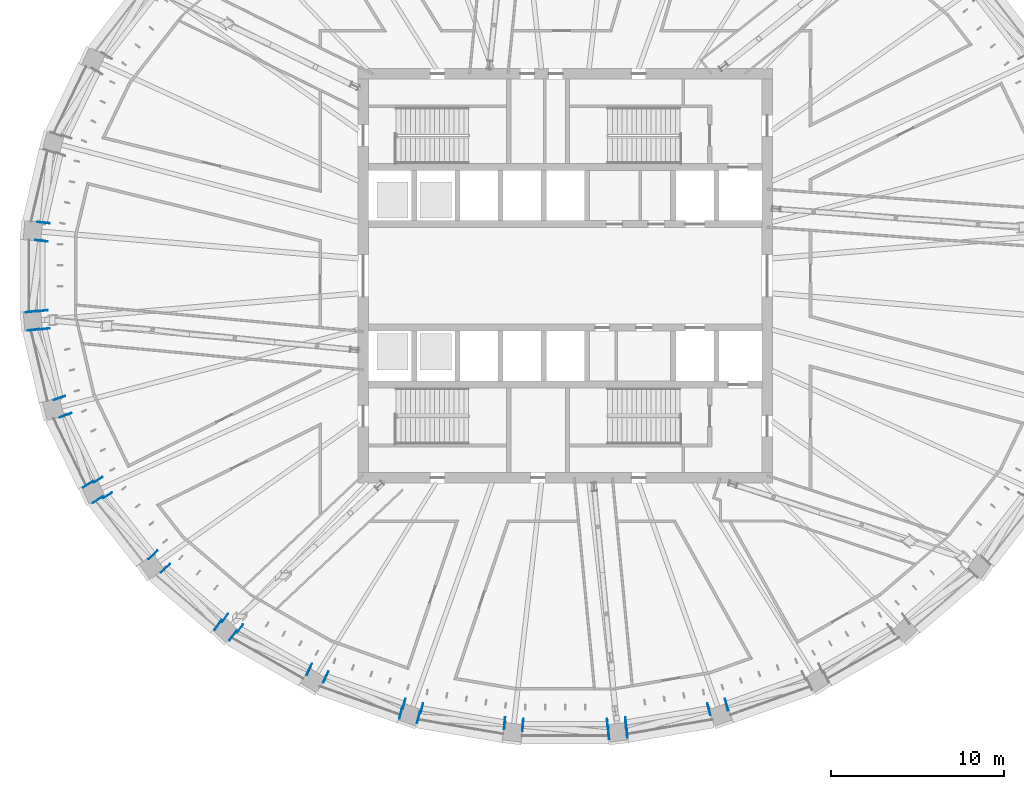
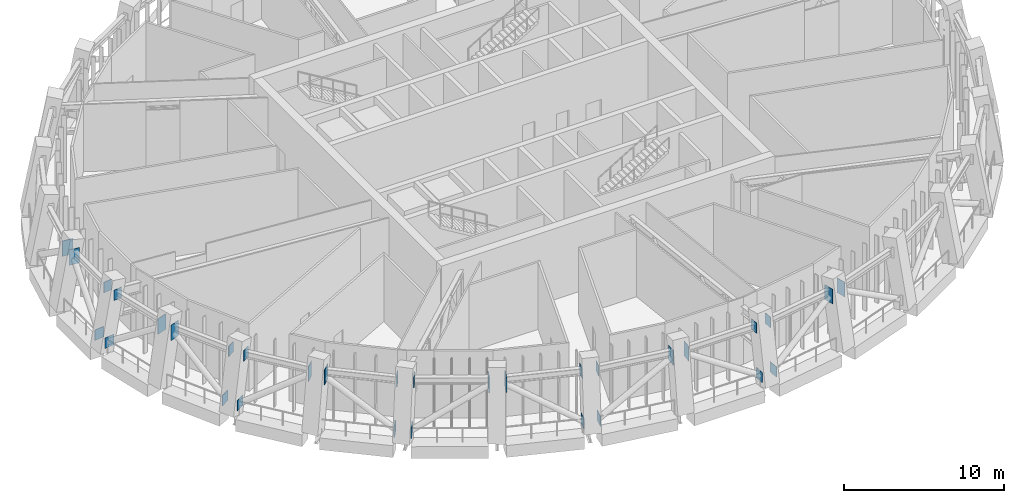
# One storey, part 12 of 20: 32 discrete accessories.
"""IFC4 building model written with IfcOpenShell, lengths in metres."""

from ifc_helpers import new_model, si_unit, direction, frame, origin, origin_2d, place, context, subcontext, project, spatial, rectangle, extrude, material, layer, layer_set, type_object, element, save


model = new_model("IFC4")

# Units and contexts
model_context = context("Model", 3, precision=1e-05, world=origin(), true_north=direction((0.0, 1.0)))
body_context = subcontext(model_context, "Body", "Model", "MODEL_VIEW")
ifc_project = project(units=[si_unit("LENGTHUNIT", "METRE"), si_unit("AREAUNIT", "SQUARE_METRE"), si_unit("VOLUMEUNIT", "CUBIC_METRE"), si_unit("PLANEANGLEUNIT", "RADIAN"), si_unit("MASSUNIT", "GRAM", prefix="KILO")], contexts=[model_context])

# Site, building, storey
site_placement = place(None, origin())
site = spatial("IfcSite", under=ifc_project, at=site_placement, CompositionType="ELEMENT")
building_placement = place(site_placement, origin())
building = spatial("IfcBuilding", under=site, at=building_placement, Name="Halqa Exchange Tower", CompositionType="ELEMENT")
storey_placement = place(building_placement, frame((0.0, 0.0, 250.89990234375)))
storey = spatial("IfcBuildingStorey", under=building, at=storey_placement, Name="L58", CompositionType="ELEMENT", Elevation=250.89990234375)

# Discrete accessories
ifc_material = material(Name="Steel S355", Category="steel")
ifc_layer = layer(ifc_material, 0.0400390625)
ifc_layer_set = layer_set([ifc_layer], Name="Steel S355")
discrete_accessory_type = type_object("IfcDiscreteAccessoryType", Name="Belt truss anchor plate 40", PredefinedType="ANCHORPLATE", material=ifc_layer_set)
discrete_accessory_1_placement = place(storey_placement, frame((-30.33642578125, 2.049560546875, 4.0625), z_axis=(-0.115780500934, -0.993274823804, 0.0), x_axis=(0.993274823804, -0.115780500934, 0.0)))
element("IfcDiscreteAccessory", 1, at=discrete_accessory_1_placement, inside=storey, type_object=discrete_accessory_type, Name="Belt truss anchor plate", PredefinedType="ANCHORPLATE", context=body_context, shape_type="SweptSolid", body=[
    extrude(rectangle(XDim=0.722900390625, YDim=1.175048828125, at=origin_2d()), origin(), (0.0, 0.0, 1.0), 0.0400390625),
])
discrete_accessory_2_placement = place(storey_placement, frame((-30.22021484375, 3.062744140625, 4.062255859375), z_axis=(0.109762219212, 0.993957873973, 0.0), x_axis=(-0.993957873973, 0.109762219212, 0.0)))
element("IfcDiscreteAccessory", 2, at=discrete_accessory_2_placement, inside=storey, type_object=discrete_accessory_type, Name="Belt truss anchor plate", PredefinedType="ANCHORPLATE", context=body_context, shape_type="SweptSolid", body=[
    extrude(rectangle(XDim=0.722900390625, YDim=1.176025390625, at=origin_2d()), origin(), (0.0, 0.0, 1.0), 0.0400390625),
])
for number, where, z_axis, x_axis, name in (
    (3, (-30.159423828125, -3.055908203125, 4.25), (0.115780500934, -0.993274823804, 0.0), (0.993274823804, 0.115780500934, 0.0), "Belt truss anchor plate"),
    (4, (-30.275390625, -2.04248046875, 4.25), (-0.115780500934, 0.993274823804, 0.0), (-0.993274823804, -0.115780500934, 0.0), "Belt truss anchor plate"),
):
    element("IfcDiscreteAccessory", number, at=place(storey_placement, frame(where, z_axis=z_axis, x_axis=x_axis)), inside=storey, type_object=discrete_accessory_type, Name=name, PredefinedType="ANCHORPLATE", context=body_context, shape_type="SweptSolid", body=[
        extrude(rectangle(XDim=0.60009765625, YDim=0.800048828125, at=origin_2d()), origin(), (0.0, 0.0, 1.0), 0.0400390625),
    ])
discrete_accessory_3_placement = place(storey_placement, frame((-30.79296875, -3.107666015625, 0.8818359375), z_axis=(0.116485527129, -0.993192389202, 0.0), x_axis=(0.993192389202, 0.116485527129, 0.0)))
element("IfcDiscreteAccessory", 5, at=discrete_accessory_3_placement, inside=storey, type_object=discrete_accessory_type, Name="Belt truss anchor plate", PredefinedType="ANCHORPLATE", context=body_context, shape_type="SweptSolid", body=[
    extrude(rectangle(XDim=0.681884765625, YDim=0.798095703125, at=origin_2d()), origin(), (0.0, 0.0, 1.0), 0.039794921875),
])
discrete_accessory_4_placement = place(storey_placement, frame((-30.90869140625, -2.093994140625, 0.88671875), z_axis=(-0.110431526075, 0.993883734674, 0.0), x_axis=(-0.993883734674, -0.110431526075, 0.0)))
element("IfcDiscreteAccessory", 6, at=discrete_accessory_4_placement, inside=storey, type_object=discrete_accessory_type, Name="Belt truss anchor plate", PredefinedType="ANCHORPLATE", context=body_context, shape_type="SweptSolid", body=[
    extrude(rectangle(XDim=0.679931640625, YDim=0.801025390625, at=origin_2d()), origin(), (0.0, 0.0, 1.0), 0.039794921875),
])
discrete_accessory_5_placement = place(storey_placement, frame((-28.945556640625, -8.051513671875, 4.06494140625), z_axis=(0.336336396998, -0.941741911595, 0.0), x_axis=(0.941741911595, 0.336336396998, 0.0)))
element("IfcDiscreteAccessory", 7, at=discrete_accessory_5_placement, inside=storey, type_object=discrete_accessory_type, Name="Belt truss anchor plate", PredefinedType="ANCHORPLATE", context=body_context, shape_type="SweptSolid", body=[
    extrude(rectangle(XDim=0.719970703125, YDim=1.169921875, at=origin_2d()), origin(), (0.0, 0.0, 1.0), 0.0400390625),
])
discrete_accessory_6_placement = place(storey_placement, frame((-29.285400390625, -7.089599609375, 4.06591796875), z_axis=(-0.330896267797, 0.943667134088, 0.0), x_axis=(-0.943667134088, -0.330896267797, 0.0)))
element("IfcDiscreteAccessory", 8, at=discrete_accessory_6_placement, inside=storey, type_object=discrete_accessory_type, Name="Belt truss anchor plate", PredefinedType="ANCHORPLATE", context=body_context, shape_type="SweptSolid", body=[
    extrude(rectangle(XDim=0.720947265625, YDim=1.1689453125, at=origin_2d()), origin(), (0.0, 0.0, 1.0), 0.039794921875),
])
discrete_accessory_7_placement = place(storey_placement, frame((-26.514892578125, -12.696533203125, 4.25), z_axis=(0.530546985787, -0.847655529016, 0.0), x_axis=(0.847655529016, 0.530546985787, 0.0)))
element("IfcDiscreteAccessory", 9, at=discrete_accessory_7_placement, inside=storey, type_object=discrete_accessory_type, Name="Belt truss anchor plate", PredefinedType="ANCHORPLATE", context=body_context, shape_type="SweptSolid", body=[
    extrude(rectangle(XDim=0.60009765625, YDim=0.800048828125, at=origin_2d()), origin(), (0.0, 0.0, 1.0), 0.0400390625),
])
discrete_accessory_8_placement = place(storey_placement, frame((-27.05322265625, -11.830078125, 4.25), z_axis=(-0.533300923376, 0.845925602596, 0.0), x_axis=(-0.845925602596, -0.533300923376, 0.0)))
element("IfcDiscreteAccessory", 10, at=discrete_accessory_8_placement, inside=storey, type_object=discrete_accessory_type, Name="Belt truss anchor plate", PredefinedType="ANCHORPLATE", context=body_context, shape_type="SweptSolid", body=[
    extrude(rectangle(XDim=0.60009765625, YDim=0.800048828125, at=origin_2d()), origin(), (0.0, 0.0, 1.0), 0.039794921875),
])
discrete_accessory_9_placement = place(storey_placement, frame((-27.0791015625, -12.947021484375, 0.859619140625), z_axis=(0.530546985787, -0.847655529016, 0.0), x_axis=(0.847655529016, 0.530546985787, 0.0)))
element("IfcDiscreteAccessory", 11, at=discrete_accessory_9_placement, inside=storey, type_object=discrete_accessory_type, Name="Belt truss anchor plate", PredefinedType="ANCHORPLATE", context=body_context, shape_type="SweptSolid", body=[
    extrude(rectangle(XDim=0.694091796875, YDim=0.7900390625, at=origin_2d()), origin(), (0.0, 0.0, 1.0), 0.0400390625),
])
discrete_accessory_10_placement = place(storey_placement, frame((-27.615478515625, -12.07958984375, 0.88232421875), z_axis=(-0.530546985787, 0.847655529016, 0.0), x_axis=(-0.847655529016, -0.530546985787, 0.0)))
element("IfcDiscreteAccessory", 12, at=discrete_accessory_10_placement, inside=storey, type_object=discrete_accessory_type, Name="Belt truss anchor plate", PredefinedType="ANCHORPLATE", context=body_context, shape_type="SweptSolid", body=[
    extrude(rectangle(XDim=0.68603515625, YDim=0.799072265625, at=origin_2d()), origin(), (0.0, 0.0, 1.0), 0.0400390625),
])
discrete_accessory_11_placement = place(storey_placement, frame((-23.16845703125, -16.9150390625, 4.07666015625), z_axis=(0.691639439628, -0.722242954656, 0.0), x_axis=(0.722242954656, 0.691639439628, 0.0)))
element("IfcDiscreteAccessory", 13, at=discrete_accessory_11_placement, inside=storey, type_object=discrete_accessory_type, Name="Belt truss anchor plate", PredefinedType="ANCHORPLATE", context=body_context, shape_type="SweptSolid", body=[
    extrude(rectangle(XDim=0.712890625, YDim=1.14697265625, at=origin_2d()), origin(), (0.0, 0.0, 1.0), 0.039794921875),
])
discrete_accessory_12_placement = place(storey_placement, frame((-23.873291015625, -16.177734375, 4.07763671875), z_axis=(-0.68858929503, 0.725151558483, 0.0), x_axis=(-0.725151558483, -0.68858929503, 0.0)))
element("IfcDiscreteAccessory", 14, at=discrete_accessory_12_placement, inside=storey, type_object=discrete_accessory_type, Name="Belt truss anchor plate", PredefinedType="ANCHORPLATE", context=body_context, shape_type="SweptSolid", body=[
    extrude(rectangle(XDim=0.715087890625, YDim=1.14501953125, at=origin_2d()), origin(), (0.0, 0.0, 1.0), 0.0400390625),
])
for number, where, z_axis, x_axis, name in (
    (15, (-18.855224609375, -20.41162109375, 4.25), (0.815785116082, -0.57835511961, 0.0), (0.57835511961, 0.815785116082, 0.0), "Belt truss anchor plate"),
    (16, (-19.688720703125, -19.823486328125, 4.25), (-0.81865747399, 0.57428210862, 0.0), (-0.57428210862, -0.81865747399, 0.0), "Belt truss anchor plate"),
):
    element("IfcDiscreteAccessory", number, at=place(storey_placement, frame(where, z_axis=z_axis, x_axis=x_axis)), inside=storey, type_object=discrete_accessory_type, Name=name, PredefinedType="ANCHORPLATE", context=body_context, shape_type="SweptSolid", body=[
        extrude(rectangle(XDim=0.60009765625, YDim=0.800048828125, at=origin_2d()), origin(), (0.0, 0.0, 1.0), 0.0400390625),
    ])
discrete_accessory_13_placement = place(storey_placement, frame((-19.263427734375, -20.825927734375, 0.8388671875), z_axis=(0.81865747399, -0.57428210862, 0.0), x_axis=(0.57428210862, 0.81865747399, 0.0)))
element("IfcDiscreteAccessory", 17, at=discrete_accessory_13_placement, inside=storey, type_object=discrete_accessory_type, Name="Belt truss anchor plate", PredefinedType="ANCHORPLATE", context=body_context, shape_type="SweptSolid", body=[
    extrude(rectangle(XDim=0.7060546875, YDim=0.781982421875, at=origin_2d()), origin(), (0.0, 0.0, 1.0), 0.0400390625),
])
discrete_accessory_14_placement = place(storey_placement, frame((-20.095703125, -20.236083984375, 0.85986328125), z_axis=(-0.81865747399, 0.57428210862, 0.0), x_axis=(-0.57428210862, -0.81865747399, 0.0)))
element("IfcDiscreteAccessory", 18, at=discrete_accessory_14_placement, inside=storey, type_object=discrete_accessory_type, Name="Belt truss anchor plate", PredefinedType="ANCHORPLATE", context=body_context, shape_type="SweptSolid", body=[
    extrude(rectangle(XDim=0.699951171875, YDim=0.7900390625, at=origin_2d()), origin(), (0.0, 0.0, 1.0), 0.0400390625),
])
discrete_accessory_15_placement = place(storey_placement, frame((-13.880859375, -23.217041015625, 4.087890625), z_axis=(0.9097381412, -0.415182507393, 0.0), x_axis=(0.415182507393, 0.9097381412, 0.0)))
element("IfcDiscreteAccessory", 19, at=discrete_accessory_15_placement, inside=storey, type_object=discrete_accessory_type, Name="Belt truss anchor plate", PredefinedType="ANCHORPLATE", context=body_context, shape_type="SweptSolid", body=[
    extrude(rectangle(XDim=0.70703125, YDim=1.125, at=origin_2d()), origin(), (0.0, 0.0, 1.0), 0.0400390625),
])
discrete_accessory_16_placement = place(storey_placement, frame((-14.807861328125, -22.791748046875, 4.088623046875), z_axis=(-0.9097381412, 0.415182507393, 0.0), x_axis=(-0.415182507393, -0.9097381412, 0.0)))
element("IfcDiscreteAccessory", 20, at=discrete_accessory_16_placement, inside=storey, type_object=discrete_accessory_type, Name="Belt truss anchor plate", PredefinedType="ANCHORPLATE", context=body_context, shape_type="SweptSolid", body=[
    extrude(rectangle(XDim=0.7080078125, YDim=1.123046875, at=origin_2d()), origin(), (0.0, 0.0, 1.0), 0.0400390625),
])
discrete_accessory_17_placement = place(storey_placement, frame((-8.32666015625, -25.039306640625, 4.25), z_axis=(0.968324838627, -0.249693826313, 0.0), x_axis=(0.249693826313, 0.968324838627, 0.0)))
element("IfcDiscreteAccessory", 21, at=discrete_accessory_17_placement, inside=storey, type_object=discrete_accessory_type, Name="Belt truss anchor plate", PredefinedType="ANCHORPLATE", context=body_context, shape_type="SweptSolid", body=[
    extrude(rectangle(XDim=0.60009765625, YDim=0.800048828125, at=origin_2d()), origin(), (0.0, 0.0, 1.0), 0.0400390625),
])
discrete_accessory_18_placement = place(storey_placement, frame((-9.313720703125, -24.781982421875, 4.25), z_axis=(-0.967941754644, 0.251174759116, 0.0), x_axis=(-0.251174759116, -0.967941754644, 0.0)))
element("IfcDiscreteAccessory", 22, at=discrete_accessory_18_placement, inside=storey, type_object=discrete_accessory_type, Name="Belt truss anchor plate", PredefinedType="ANCHORPLATE", context=body_context, shape_type="SweptSolid", body=[
    extrude(rectangle(XDim=0.60009765625, YDim=0.800048828125, at=origin_2d()), origin(), (0.0, 0.0, 1.0), 0.039794921875),
])
discrete_accessory_19_placement = place(storey_placement, frame((-8.514892578125, -25.55859375, 0.828125), z_axis=(0.967941754644, -0.251174759116, 0.0), x_axis=(0.251174759116, 0.967941754644, 0.0)))
element("IfcDiscreteAccessory", 23, at=discrete_accessory_19_placement, inside=storey, type_object=discrete_accessory_type, Name="Belt truss anchor plate", PredefinedType="ANCHORPLATE", context=body_context, shape_type="SweptSolid", body=[
    extrude(rectangle(XDim=0.7060546875, YDim=0.778076171875, at=origin_2d()), origin(), (0.0, 0.0, 1.0), 0.039794921875),
])
discrete_accessory_20_placement = place(storey_placement, frame((-9.501220703125, -25.298583984375, 0.839599609375), z_axis=(-0.966837822169, 0.255391122837, 0.0), x_axis=(-0.255391122837, -0.966837822169, 0.0)))
element("IfcDiscreteAccessory", 24, at=discrete_accessory_20_placement, inside=storey, type_object=discrete_accessory_type, Name="Belt truss anchor plate", PredefinedType="ANCHORPLATE", context=body_context, shape_type="SweptSolid", body=[
    extrude(rectangle(XDim=0.7060546875, YDim=0.781982421875, at=origin_2d()), origin(), (0.0, 0.0, 1.0), 0.0400390625),
])
for number, where, z_axis, x_axis, name in (
    (25, (-2.474365234375, -26.001708984375, 4.093994140625), (0.996331773833, -0.085574508182, 0.0), (0.085574508182, 0.996331773833, 0.0), "Belt truss anchor plate"),
    (26, (-3.49072265625, -25.916015625, 4.093994140625), (-0.996331773833, 0.085574508182, 0.0), (-0.085574508182, -0.996331773833, 0.0), "Belt truss anchor plate"),
):
    element("IfcDiscreteAccessory", number, at=place(storey_placement, frame(where, z_axis=z_axis, x_axis=x_axis)), inside=storey, type_object=discrete_accessory_type, Name=name, PredefinedType="ANCHORPLATE", context=body_context, shape_type="SweptSolid", body=[
        extrude(rectangle(XDim=0.7060546875, YDim=1.112060546875, at=origin_2d()), origin(), (0.0, 0.0, 1.0), 0.0400390625),
    ])
discrete_accessory_21_placement = place(storey_placement, frame((3.486572265625, -25.864501953125, 4.25), z_axis=(0.996331773833, 0.085574508182, 0.0), x_axis=(-0.085574508182, 0.996331773833, 0.0)))
element("IfcDiscreteAccessory", 27, at=discrete_accessory_21_placement, inside=storey, type_object=discrete_accessory_type, Name="Belt truss anchor plate", PredefinedType="ANCHORPLATE", context=body_context, shape_type="SweptSolid", body=[
    extrude(rectangle(XDim=0.60009765625, YDim=0.800048828125, at=origin_2d()), origin(), (0.0, 0.0, 1.0), 0.0400390625),
])
discrete_accessory_22_placement = place(storey_placement, frame((2.47021484375, -25.95068359375, 4.25), z_axis=(-0.996376129781, -0.085056498884, 0.0), x_axis=(0.085056498884, -0.996376129781, 0.0)))
element("IfcDiscreteAccessory", 28, at=discrete_accessory_22_placement, inside=storey, type_object=discrete_accessory_type, Name="Belt truss anchor plate", PredefinedType="ANCHORPLATE", context=body_context, shape_type="SweptSolid", body=[
    extrude(rectangle(XDim=0.60009765625, YDim=0.800048828125, at=origin_2d()), origin(), (0.0, 0.0, 1.0), 0.040283203125),
])
discrete_accessory_23_placement = place(storey_placement, frame((3.550048828125, -26.404296875, 0.83203125), z_axis=(0.996376129781, 0.085056498884, 0.0), x_axis=(-0.085056498884, 0.996376129781, 0.0)))
element("IfcDiscreteAccessory", 29, at=discrete_accessory_23_placement, inside=storey, type_object=discrete_accessory_type, Name="Belt truss anchor plate", PredefinedType="ANCHORPLATE", context=body_context, shape_type="SweptSolid", body=[
    extrude(rectangle(XDim=0.7060546875, YDim=0.779052734375, at=origin_2d()), origin(), (0.0, 0.0, 1.0), 0.040283203125),
])
discrete_accessory_24_placement = place(storey_placement, frame((2.53369140625, -26.4912109375, 0.827880859375), z_axis=(-0.996331773833, -0.085574508182, 0.0), x_axis=(0.085574508182, -0.996331773833, 0.0)))
element("IfcDiscreteAccessory", 30, at=discrete_accessory_24_placement, inside=storey, type_object=discrete_accessory_type, Name="Belt truss anchor plate", PredefinedType="ANCHORPLATE", context=body_context, shape_type="SweptSolid", body=[
    extrude(rectangle(XDim=0.7060546875, YDim=0.778076171875, at=origin_2d()), origin(), (0.0, 0.0, 1.0), 0.0400390625),
])
discrete_accessory_25_placement = place(storey_placement, frame((9.326904296875, -24.8330078125, 4.09228515625), z_axis=(0.967941754644, 0.251174759116, 0.0), x_axis=(-0.251174759116, 0.967941754644, 0.0)))
element("IfcDiscreteAccessory", 31, at=discrete_accessory_25_placement, inside=storey, type_object=discrete_accessory_type, Name="Belt truss anchor plate", PredefinedType="ANCHORPLATE", context=body_context, shape_type="SweptSolid", body=[
    extrude(rectangle(XDim=0.7060546875, YDim=1.115966796875, at=origin_2d()), origin(), (0.0, 0.0, 1.0), 0.039794921875),
])
discrete_accessory_26_placement = place(storey_placement, frame((8.339599609375, -25.08984375, 4.091796875), z_axis=(-0.967941754644, -0.251174759116, 0.0), x_axis=(0.251174759116, -0.967941754644, 0.0)))
element("IfcDiscreteAccessory", 32, at=discrete_accessory_26_placement, inside=storey, type_object=discrete_accessory_type, Name="Belt truss anchor plate", PredefinedType="ANCHORPLATE", context=body_context, shape_type="SweptSolid", body=[
    extrude(rectangle(XDim=0.7060546875, YDim=1.116943359375, at=origin_2d()), origin(), (0.0, 0.0, 1.0), 0.039794921875),
])

save(model, "model.ifc")
